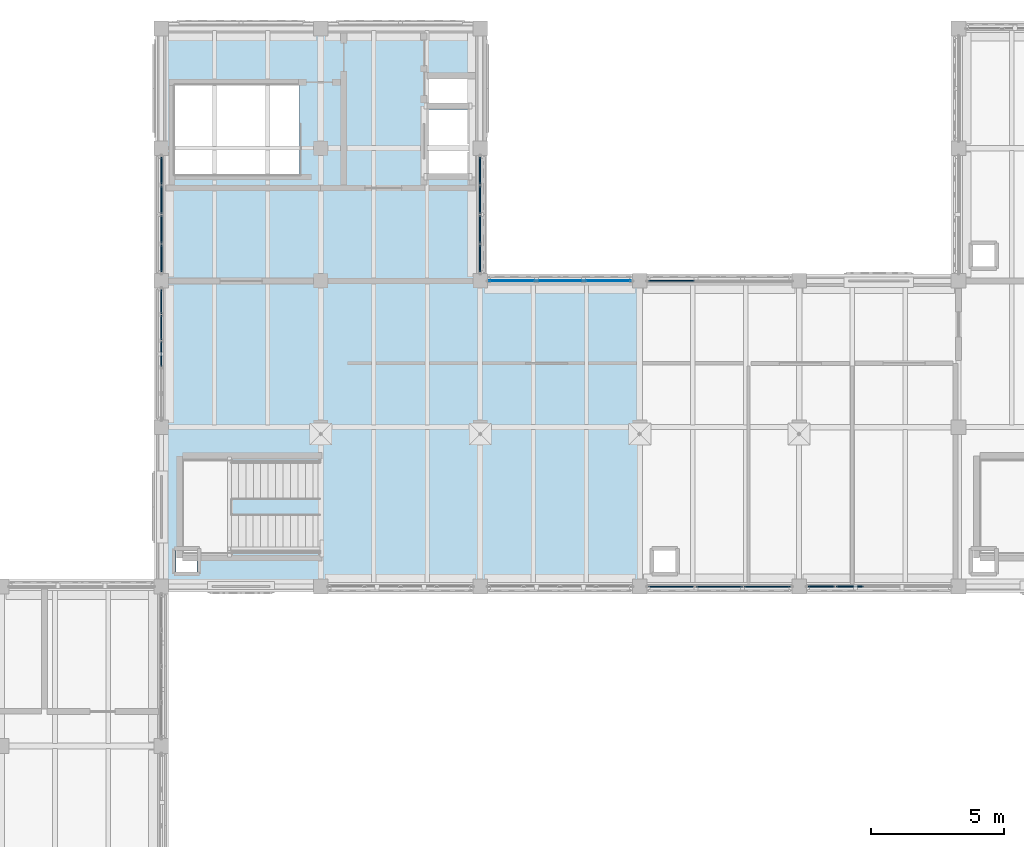
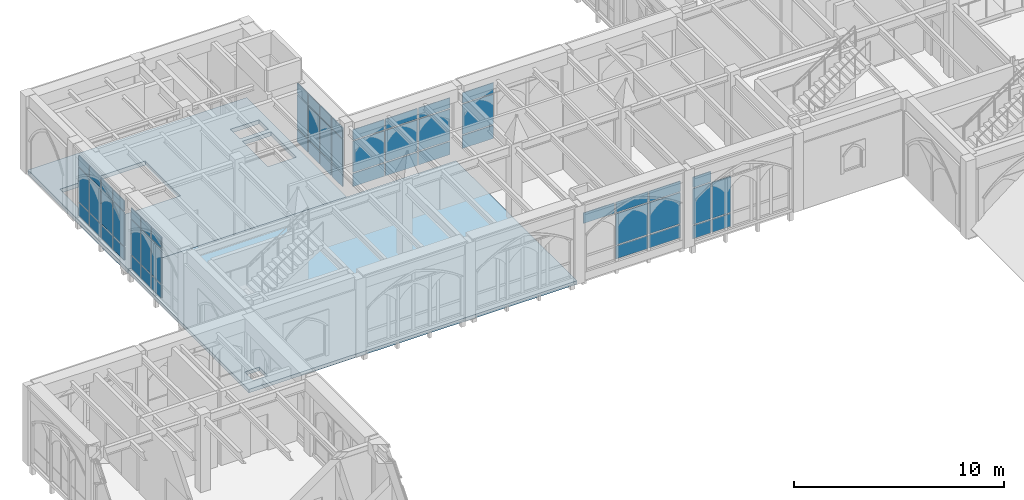
# One storey, part 64 of 108: 57 plates, 2 slabs, 7 elements without a shape of their own.
"""IFC4 building model written with IfcOpenShell, lengths in metres."""

from ifc_helpers import new_model, si_unit, direction, frame, origin, origin_2d, place, context, subcontext, project, spatial, polyline, rectangle, outline, extrude, material, layer, layer_set, type_object, element, aggregate, save


model = new_model("IFC4")

# Units and contexts
model_context = context("Model", 3, precision=1e-05, world=origin(), true_north=direction((0.0, 1.0)))
body_context = subcontext(model_context, "Body", "Model", "MODEL_VIEW")
ifc_project = project(units=[si_unit("LENGTHUNIT", "METRE"), si_unit("AREAUNIT", "SQUARE_METRE"), si_unit("VOLUMEUNIT", "CUBIC_METRE"), si_unit("PLANEANGLEUNIT", "RADIAN"), si_unit("MASSUNIT", "GRAM", prefix="KILO")], contexts=[model_context])

# Site, building, storey
site_placement = place(None, origin())
site = spatial("IfcSite", under=ifc_project, at=site_placement, CompositionType="ELEMENT")
building_placement = place(site_placement, origin())
building = spatial("IfcBuilding", under=site, at=building_placement, Name="Cumevento Cable Car Station", CompositionType="ELEMENT")
storey_placement = place(building_placement, frame((0.0, 0.0, 13.5)))
storey = spatial("IfcBuildingStorey", under=building, at=storey_placement, Name="L04", CompositionType="ELEMENT", Elevation=13.5)

# Slabs
ifc_material_1 = material(Name="Concrete C40/50", Category="concrete")
ifc_layer_1 = layer(ifc_material_1, 0.199951171875)
ifc_layer_set_1 = layer_set([ifc_layer_1], Name="Concrete C40/50")
slab_type_1 = type_object("IfcSlabType", Name="Concrete Deck FS-200 200", PredefinedType="FLOOR", material=ifc_layer_set_1)
slab_1_placement = place(storey_placement, frame((0.0, 0.0, -0.199951171875)))
element("IfcSlab", 1, at=slab_1_placement, inside=storey, type_object=slab_type_1, Name="Floor Slab FS-200 L04 B_V6c.1", PredefinedType="FLOOR", context=body_context, shape_type="SweptSolid", body=[
    extrude(outline(polyline([(22.0, 45.0), (40.0, 45.0), (40.0, 56.5), (22.0, 56.5), (22.0, 45.0)]), holes=[polyline([(22.550048828125, 45.550048828125), (23.35009765625, 45.550048828125), (23.35009765625, 46.35009765625), (22.550048828125, 46.35009765625), (22.550048828125, 45.550048828125)])]), origin(), (0.0, 0.0, 1.0), 0.199951171875),
])
ifc_material_2 = material(Name="Concrete C40/50", Category="concrete")
ifc_layer_2 = layer(ifc_material_2, 0.236083984375)
ifc_layer_set_2 = layer_set([ifc_layer_2], Name="Concrete C40/50")
slab_type_2 = type_object("IfcSlabType", Name="Concrete Deck FS-236 236", PredefinedType="FLOOR", material=ifc_layer_set_2)
slab_2_placement = place(storey_placement, frame((0.0, 0.0, -0.236083984375)))
element("IfcSlab", 2, at=slab_2_placement, inside=storey, type_object=slab_type_2, Name="Floor Slab FS-236 L04 B_V6d.1", PredefinedType="FLOOR", context=body_context, shape_type="SweptSolid", body=[
    extrude(outline(polyline([(22.0, 56.5), (34.0, 56.5), (34.0, 66.0), (22.0, 66.0), (22.0, 56.5)]), holes=[polyline([(32.010009765625, 60.5400390625), (33.580078125, 60.5400390625), (33.580078125, 62.9599609375), (32.010009765625, 62.9599609375), (32.010009765625, 60.5400390625)]), polyline([(22.52001953125, 60.52001953125), (27.199951171875, 60.52001953125), (27.199951171875, 63.85009765625), (22.52001953125, 63.85009765625), (22.52001953125, 60.52001953125)]), polyline([(32.010009765625, 63.199951171875), (33.580078125, 63.199951171875), (33.580078125, 64.10009765625), (32.010009765625, 64.10009765625), (32.010009765625, 63.199951171875)])]), origin(), (0.0, 0.0, 1.0), 0.236083984375),
])

# Curtain wall, plates
ifc_material_3 = material(Name="Anodised Bronze Aluminium AW-6063-T6", Category="aluminium")
ifc_layer_3 = layer(ifc_material_3, 0.238037109375)
ifc_layer_set_3 = layer_set([ifc_layer_3], Name="Anodised Bronze Aluminium AW-6063-T6")
curtain_wall_type_1 = type_object("IfcCurtainWallType", Name="Lancet Curtain Wall CW-14 1570", PredefinedType="NOTDEFINED", material=ifc_layer_set_3)
curtain_wall_1_placement = place(storey_placement, origin())
curtain_wall_1 = element("IfcCurtainWall", 3, at=curtain_wall_1_placement, inside=storey, type_object=curtain_wall_type_1, Name="Lancet Curtain Wall CW-14 L04 #157", PredefinedType="NOTDEFINED")
ifc_material_4 = material(Name="Solar Control Laminated Double Glazing", Category="glass")
ifc_layer_4 = layer(ifc_material_4, 0.033935546875)
ifc_layer_set_4 = layer_set([ifc_layer_4], Name="Solar Control Laminated Double Glazing")
plate_type_1 = type_object("IfcPlateType", Name="Glazed Panel CWP-04 34", PredefinedType="CURTAIN_PANEL", material=ifc_layer_set_4)
plate_1_placement = place(storey_placement, frame((35.199462890625, 56.5, 0.47509765625), z_axis=(0.0, 0.0, 1.0), x_axis=(1.0, 0.0, 0.0)))
plate_1 = element("IfcPlate", 4, at=plate_1_placement, type_object=plate_type_1, Name="CW-14 panel 1.1", PredefinedType="CURTAIN_PANEL", context=body_context, shape_type="SweptSolid", body=[
    extrude(rectangle(XDim=1.71923828125, YDim=0.033935546875, at=origin_2d()), origin(), (0.0, 0.0, 1.0), 0.75244140625),
])
plate_2_placement = place(storey_placement, frame((35.199462890625, 56.5, 1.29248046875), z_axis=(0.0, 0.0, 1.0), x_axis=(1.0, 0.0, 0.0)))
plate_2 = element("IfcPlate", 5, at=plate_2_placement, type_object=plate_type_1, Name="CW-14 panel 1.2", PredefinedType="CURTAIN_PANEL", context=body_context, shape_type="SweptSolid", body=[
    extrude(rectangle(XDim=1.71923828125, YDim=0.033935546875, at=origin_2d()), origin(), (0.0, 0.0, 1.0), 1.818115234375),
])
plate_3_placement = place(storey_placement, frame((35.199462890625, 56.5, 3.175537109375), z_axis=(0.0, 0.0, 1.0), x_axis=(1.0, 0.0, 0.0)))
plate_3 = element("IfcPlate", 6, at=plate_3_placement, type_object=plate_type_1, Name="CW-14 panel 1.3", PredefinedType="CURTAIN_PANEL", context=body_context, shape_type="SweptSolid", body=[
    extrude(rectangle(XDim=1.71923828125, YDim=0.033935546875, at=origin_2d()), origin(), (0.0, 0.0, 1.0), 0.6025390625),
])
plate_4_placement = place(storey_placement, frame((37.0, 56.5, 0.47509765625), z_axis=(0.0, 0.0, 1.0), x_axis=(1.0, 0.0, 0.0)))
plate_4 = element("IfcPlate", 7, at=plate_4_placement, type_object=plate_type_1, Name="CW-14 panel 2.1", PredefinedType="CURTAIN_PANEL", context=body_context, shape_type="SweptSolid", body=[
    extrude(rectangle(XDim=1.751708984375, YDim=0.033935546875, at=origin_2d()), origin(), (0.0, 0.0, 1.0), 0.75244140625),
])
plate_5_placement = place(storey_placement, frame((37.0, 56.5, 1.29248046875), z_axis=(0.0, 0.0, 1.0), x_axis=(1.0, 0.0, 0.0)))
plate_5 = element("IfcPlate", 8, at=plate_5_placement, type_object=plate_type_1, Name="CW-14 panel 2.2", PredefinedType="CURTAIN_PANEL", context=body_context, shape_type="SweptSolid", body=[
    extrude(rectangle(XDim=1.751708984375, YDim=0.033935546875, at=origin_2d()), origin(), (0.0, 0.0, 1.0), 1.818115234375),
])
plate_6_placement = place(storey_placement, frame((37.0, 56.5, 3.175537109375), z_axis=(0.0, 0.0, 1.0), x_axis=(1.0, 0.0, 0.0)))
plate_6 = element("IfcPlate", 9, at=plate_6_placement, type_object=plate_type_1, Name="CW-14 panel 2.3", PredefinedType="CURTAIN_PANEL", context=body_context, shape_type="SweptSolid", body=[
    extrude(rectangle(XDim=1.751708984375, YDim=0.033935546875, at=origin_2d()), origin(), (0.0, 0.0, 1.0), 0.6025390625),
])
plate_7_placement = place(storey_placement, frame((38.800537109375, 56.5, 0.47509765625), z_axis=(0.0, 0.0, 1.0), x_axis=(1.0, 0.0, 0.0)))
plate_7 = element("IfcPlate", 10, at=plate_7_placement, type_object=plate_type_1, Name="CW-14 panel 3.1", PredefinedType="CURTAIN_PANEL", context=body_context, shape_type="SweptSolid", body=[
    extrude(rectangle(XDim=1.71923828125, YDim=0.033935546875, at=origin_2d()), origin(), (0.0, 0.0, 1.0), 0.75244140625),
])
plate_8_placement = place(storey_placement, frame((38.800537109375, 56.5, 1.29248046875), z_axis=(0.0, 0.0, 1.0), x_axis=(1.0, 0.0, 0.0)))
plate_8 = element("IfcPlate", 11, at=plate_8_placement, type_object=plate_type_1, Name="CW-14 panel 3.2", PredefinedType="CURTAIN_PANEL", context=body_context, shape_type="SweptSolid", body=[
    extrude(rectangle(XDim=1.71923828125, YDim=0.033935546875, at=origin_2d()), origin(), (0.0, 0.0, 1.0), 1.818115234375),
])
plate_9_placement = place(storey_placement, frame((38.800537109375, 56.5, 3.175537109375), z_axis=(0.0, 0.0, 1.0), x_axis=(1.0, 0.0, 0.0)))
plate_9 = element("IfcPlate", 12, at=plate_9_placement, type_object=plate_type_1, Name="CW-14 panel 3.3", PredefinedType="CURTAIN_PANEL", context=body_context, shape_type="SweptSolid", body=[
    extrude(rectangle(XDim=1.71923828125, YDim=0.033935546875, at=origin_2d()), origin(), (0.0, 0.0, 1.0), 0.6025390625),
])
aggregate(curtain_wall_1, [plate_1, plate_2, plate_3, plate_4, plate_5, plate_6, plate_7, plate_8, plate_9])

ifc_material_5 = material(Name="Anodised Bronze Aluminium AW-6063-T6", Category="aluminium")
ifc_layer_5 = layer(ifc_material_5, 0.243896484375)
ifc_layer_set_5 = layer_set([ifc_layer_5], Name="Anodised Bronze Aluminium AW-6063-T6")
curtain_wall_type_2 = type_object("IfcCurtainWallType", Name="Lancet Curtain Wall CW-15 1610", PredefinedType="NOTDEFINED", material=ifc_layer_set_5)
curtain_wall_2_placement = place(storey_placement, origin())
curtain_wall_2 = element("IfcCurtainWall", 13, at=curtain_wall_2_placement, inside=storey, type_object=curtain_wall_type_2, Name="Lancet Curtain Wall CW-15 L04 #158", PredefinedType="NOTDEFINED")
ifc_material_6 = material(Name="Solar Control Laminated Double Glazing", Category="glass")
ifc_layer_6 = layer(ifc_material_6, 0.0380859375)
ifc_layer_set_6 = layer_set([ifc_layer_6], Name="Solar Control Laminated Double Glazing")
plate_type_2 = type_object("IfcPlateType", Name="Glazed Panel CWP-05 38", PredefinedType="CURTAIN_PANEL", material=ifc_layer_set_6)
plate_10_placement = place(storey_placement, frame((44.800537109375, 45.0, 0.525146484375), z_axis=(0.0, 0.0, 1.0), x_axis=(-1.0, 0.0, 0.0)))
plate_10 = element("IfcPlate", 14, at=plate_10_placement, type_object=plate_type_2, Name="CW-15 panel 1.1", PredefinedType="CURTAIN_PANEL", context=body_context, shape_type="SweptSolid", body=[
    extrude(rectangle(XDim=1.71923828125, YDim=0.0380859375, at=origin_2d()), origin(), (0.0, 0.0, 1.0), 0.75244140625),
])
plate_11_placement = place(storey_placement, frame((44.800537109375, 45.0, 1.3427734375), z_axis=(0.0, 0.0, 1.0), x_axis=(-1.0, 0.0, 0.0)))
plate_11 = element("IfcPlate", 15, at=plate_11_placement, type_object=plate_type_2, Name="CW-15 panel 1.2", PredefinedType="CURTAIN_PANEL", context=body_context, shape_type="SweptSolid", body=[
    extrude(rectangle(XDim=1.71923828125, YDim=0.0380859375, at=origin_2d()), origin(), (0.0, 0.0, 1.0), 1.805908203125),
])
plate_12_placement = place(storey_placement, frame((44.800537109375, 45.0, 3.21337890625), z_axis=(0.0, 0.0, 1.0), x_axis=(-1.0, 0.0, 0.0)))
plate_12 = element("IfcPlate", 16, at=plate_12_placement, type_object=plate_type_2, Name="CW-15 panel 1.3", PredefinedType="CURTAIN_PANEL", context=body_context, shape_type="SweptSolid", body=[
    extrude(rectangle(XDim=1.71923828125, YDim=0.0380859375, at=origin_2d()), origin(), (0.0, 0.0, 1.0), 0.6025390625),
])
plate_13_placement = place(storey_placement, frame((43.0, 45.0, 0.525146484375), z_axis=(0.0, 0.0, 1.0), x_axis=(-1.0, 0.0, 0.0)))
plate_13 = element("IfcPlate", 17, at=plate_13_placement, type_object=plate_type_2, Name="CW-15 panel 2.1", PredefinedType="CURTAIN_PANEL", context=body_context, shape_type="SweptSolid", body=[
    extrude(rectangle(XDim=1.751708984375, YDim=0.0380859375, at=origin_2d()), origin(), (0.0, 0.0, 1.0), 0.75244140625),
])
plate_14_placement = place(storey_placement, frame((43.0, 45.0, 1.3427734375), z_axis=(0.0, 0.0, 1.0), x_axis=(-1.0, 0.0, 0.0)))
plate_14 = element("IfcPlate", 18, at=plate_14_placement, type_object=plate_type_2, Name="CW-15 panel 2.2", PredefinedType="CURTAIN_PANEL", context=body_context, shape_type="SweptSolid", body=[
    extrude(rectangle(XDim=1.751708984375, YDim=0.0380859375, at=origin_2d()), origin(), (0.0, 0.0, 1.0), 1.805908203125),
])
plate_15_placement = place(storey_placement, frame((43.0, 45.0, 3.21337890625), z_axis=(0.0, 0.0, 1.0), x_axis=(-1.0, 0.0, 0.0)))
plate_15 = element("IfcPlate", 19, at=plate_15_placement, type_object=plate_type_2, Name="CW-15 panel 2.3", PredefinedType="CURTAIN_PANEL", context=body_context, shape_type="SweptSolid", body=[
    extrude(rectangle(XDim=1.751708984375, YDim=0.0380859375, at=origin_2d()), origin(), (0.0, 0.0, 1.0), 0.6025390625),
])
plate_16_placement = place(storey_placement, frame((41.199462890625, 45.0, 3.21337890625), z_axis=(0.0, 0.0, 1.0), x_axis=(-1.0, 0.0, 0.0)))
plate_16 = element("IfcPlate", 20, at=plate_16_placement, type_object=plate_type_2, Name="CW-15 panel 3.3", PredefinedType="CURTAIN_PANEL", context=body_context, shape_type="SweptSolid", body=[
    extrude(rectangle(XDim=1.71923828125, YDim=0.0380859375, at=origin_2d()), origin(), (0.0, 0.0, 1.0), 0.6025390625),
])
aggregate(curtain_wall_2, [plate_10, plate_11, plate_12, plate_13, plate_14, plate_15, plate_16])

ifc_material_7 = material(Name="Anodised Bronze Aluminium AW-6063-T6", Category="aluminium")
ifc_layer_7 = layer(ifc_material_7, 0.25)
ifc_layer_set_7 = layer_set([ifc_layer_7], Name="Anodised Bronze Aluminium AW-6063-T6")
curtain_wall_type_3 = type_object("IfcCurtainWallType", Name="Lancet Curtain Wall CW-16 1650", PredefinedType="NOTDEFINED", material=ifc_layer_set_7)
curtain_wall_3_placement = place(storey_placement, origin())
curtain_wall_3 = element("IfcCurtainWall", 21, at=curtain_wall_3_placement, inside=storey, type_object=curtain_wall_type_3, Name="Lancet Curtain Wall CW-16 L04 #159", PredefinedType="NOTDEFINED")
ifc_material_8 = material(Name="Solar Control Laminated Double Glazing", Category="glass")
ifc_layer_8 = layer(ifc_material_8, 0.0419921875)
ifc_layer_set_8 = layer_set([ifc_layer_8], Name="Solar Control Laminated Double Glazing")
plate_type_3 = type_object("IfcPlateType", Name="Glazed Panel CWP-06 42", PredefinedType="CURTAIN_PANEL", material=ifc_layer_set_8)
plate_17_placement = place(storey_placement, frame((41.199462890625, 56.5, 0.5849609375), z_axis=(0.0, 0.0, 1.0), x_axis=(1.0, 0.0, 0.0)))
plate_17 = element("IfcPlate", 22, at=plate_17_placement, type_object=plate_type_3, Name="CW-16 panel 1.1", PredefinedType="CURTAIN_PANEL", context=body_context, shape_type="SweptSolid", body=[
    extrude(rectangle(XDim=1.71923828125, YDim=0.0419921875, at=origin_2d()), origin(), (0.0, 0.0, 1.0), 0.75244140625),
])
plate_18_placement = place(storey_placement, frame((41.199462890625, 56.5, 1.40234375), z_axis=(0.0, 0.0, 1.0), x_axis=(1.0, 0.0, 0.0)))
plate_18 = element("IfcPlate", 23, at=plate_18_placement, type_object=plate_type_3, Name="CW-16 panel 1.2", PredefinedType="CURTAIN_PANEL", context=body_context, shape_type="SweptSolid", body=[
    extrude(rectangle(XDim=1.71923828125, YDim=0.0419921875, at=origin_2d()), origin(), (0.0, 0.0, 1.0), 1.74609375),
])
plate_19_placement = place(storey_placement, frame((41.199462890625, 56.5, 3.21337890625), z_axis=(0.0, 0.0, 1.0), x_axis=(1.0, 0.0, 0.0)))
plate_19 = element("IfcPlate", 24, at=plate_19_placement, type_object=plate_type_3, Name="CW-16 panel 1.3", PredefinedType="CURTAIN_PANEL", context=body_context, shape_type="SweptSolid", body=[
    extrude(rectangle(XDim=1.71923828125, YDim=0.0419921875, at=origin_2d()), origin(), (0.0, 0.0, 1.0), 0.6025390625),
])
aggregate(curtain_wall_3, [plate_17, plate_18, plate_19])

ifc_material_9 = material(Name="Anodised Bronze Aluminium AW-6063-T6", Category="aluminium")
ifc_layer_9 = layer(ifc_material_9, 0.159912109375)
ifc_layer_set_9 = layer_set([ifc_layer_9], Name="Anodised Bronze Aluminium AW-6063-T6")
curtain_wall_type_4 = type_object("IfcCurtainWallType", Name="Lancet Curtain Wall CW-01 1050", PredefinedType="NOTDEFINED", material=ifc_layer_set_9)
curtain_wall_4_placement = place(storey_placement, origin())
curtain_wall_4 = element("IfcCurtainWall", 25, at=curtain_wall_4_placement, inside=storey, type_object=curtain_wall_type_4, Name="Lancet Curtain Wall CW-01 L04 #160", PredefinedType="NOTDEFINED")
ifc_material_10 = material(Name="Solar Control Laminated Double Glazing", Category="glass")
ifc_layer_10 = layer(ifc_material_10, 0.0458984375)
ifc_layer_set_10 = layer_set([ifc_layer_10], Name="Solar Control Laminated Double Glazing")
plate_type_4 = type_object("IfcPlateType", Name="Glazed Panel CWP-07 46", PredefinedType="CURTAIN_PANEL", material=ifc_layer_set_10)
plate_20_placement = place(storey_placement, frame((47.909912109375, 45.0, 0.22509765625), z_axis=(0.0, 0.0, 1.0), x_axis=(-1.0, 0.0, 0.0)))
plate_20 = element("IfcPlate", 26, at=plate_20_placement, type_object=plate_type_4, Name="CW-01 panel 4.1", PredefinedType="CURTAIN_PANEL", context=body_context, shape_type="SweptSolid", body=[
    extrude(rectangle(XDim=1.02490234375, YDim=0.0458984375, at=origin_2d()), origin(), (0.0, 0.0, 1.0), 0.75244140625),
])
plate_21_placement = place(storey_placement, frame((47.909912109375, 45.0, 1.04248046875), z_axis=(0.0, 0.0, 1.0), x_axis=(-1.0, 0.0, 0.0)))
plate_21 = element("IfcPlate", 27, at=plate_21_placement, type_object=plate_type_4, Name="CW-01 panel 4.2", PredefinedType="CURTAIN_PANEL", context=body_context, shape_type="SweptSolid", body=[
    extrude(rectangle(XDim=1.02490234375, YDim=0.0458984375, at=origin_2d()), origin(), (0.0, 0.0, 1.0), 2.08203125),
])
plate_22_placement = place(storey_placement, frame((46.836181640625, 45.0, 0.22509765625), z_axis=(0.0, 0.0, 1.0), x_axis=(-1.0, 0.0, 0.0)))
plate_22 = element("IfcPlate", 28, at=plate_22_placement, type_object=plate_type_4, Name="CW-01 panel 5.1", PredefinedType="CURTAIN_PANEL", context=body_context, shape_type="SweptSolid", body=[
    extrude(rectangle(XDim=0.992431640625, YDim=0.0458984375, at=origin_2d()), origin(), (0.0, 0.0, 1.0), 0.75244140625),
])
plate_23_placement = place(storey_placement, frame((46.836181640625, 45.0, 1.04248046875), z_axis=(0.0, 0.0, 1.0), x_axis=(-1.0, 0.0, 0.0)))
plate_23 = element("IfcPlate", 29, at=plate_23_placement, type_object=plate_type_4, Name="CW-01 panel 5.2", PredefinedType="CURTAIN_PANEL", context=body_context, shape_type="SweptSolid", body=[
    extrude(rectangle(XDim=0.992431640625, YDim=0.0458984375, at=origin_2d()), origin(), (0.0, 0.0, 1.0), 2.08203125),
])
plate_24_placement = place(storey_placement, frame((46.836181640625, 45.0, 3.189453125), z_axis=(0.0, 0.0, 1.0), x_axis=(-1.0, 0.0, 0.0)))
plate_24 = element("IfcPlate", 30, at=plate_24_placement, type_object=plate_type_4, Name="CW-01 panel 5.3", PredefinedType="CURTAIN_PANEL", context=body_context, shape_type="SweptSolid", body=[
    extrude(rectangle(XDim=0.992431640625, YDim=0.0458984375, at=origin_2d()), origin(), (0.0, 0.0, 1.0), 0.6025390625),
])
aggregate(curtain_wall_4, [plate_20, plate_21, plate_22, plate_23, plate_24])

ifc_material_11 = material(Name="Anodised Bronze Aluminium AW-6063-T6", Category="aluminium")
ifc_layer_11 = layer(ifc_material_11, 0.166015625)
ifc_layer_set_11 = layer_set([ifc_layer_11], Name="Anodised Bronze Aluminium AW-6063-T6")
curtain_wall_type_5 = type_object("IfcCurtainWallType", Name="Lancet Curtain Wall CW-02 1090", PredefinedType="NOTDEFINED", material=ifc_layer_set_11)
curtain_wall_5_placement = place(storey_placement, origin())
curtain_wall_5 = element("IfcCurtainWall", 31, at=curtain_wall_5_placement, inside=storey, type_object=curtain_wall_type_5, Name="Lancet Curtain Wall CW-02 L04 #161", PredefinedType="NOTDEFINED")
ifc_material_12 = material(Name="Solar Control Laminated Double Glazing", Category="glass")
ifc_layer_12 = layer(ifc_material_12, 0.050048828125)
ifc_layer_set_12 = layer_set([ifc_layer_12], Name="Solar Control Laminated Double Glazing")
plate_type_5 = type_object("IfcPlateType", Name="Glazed Panel CWP-08 50", PredefinedType="CURTAIN_PANEL", material=ifc_layer_set_12)
plate_25_placement = place(storey_placement, frame((22.0, 53.75, 0.275146484375), z_axis=(0.0, 0.0, 1.0), x_axis=(0.0, 1.0, 0.0)))
plate_25 = element("IfcPlate", 32, at=plate_25_placement, type_object=plate_type_5, Name="CW-02 panel 3.1", PredefinedType="CURTAIN_PANEL", context=body_context, shape_type="SweptSolid", body=[
    extrude(rectangle(XDim=0.925048828125, YDim=0.050048828125, at=origin_2d()), origin(), (0.0, 0.0, 1.0), 0.75244140625),
])
plate_26_placement = place(storey_placement, frame((22.0, 53.75, 1.092529296875), z_axis=(0.0, 0.0, 1.0), x_axis=(0.0, 1.0, 0.0)))
plate_26 = element("IfcPlate", 33, at=plate_26_placement, type_object=plate_type_5, Name="CW-02 panel 3.2", PredefinedType="CURTAIN_PANEL", context=body_context, shape_type="SweptSolid", body=[
    extrude(rectangle(XDim=0.925048828125, YDim=0.050048828125, at=origin_2d()), origin(), (0.0, 0.0, 1.0), 2.01806640625),
])
plate_27_placement = place(storey_placement, frame((22.0, 53.75, 3.175537109375), z_axis=(0.0, 0.0, 1.0), x_axis=(0.0, 1.0, 0.0)))
plate_27 = element("IfcPlate", 34, at=plate_27_placement, type_object=plate_type_5, Name="CW-02 panel 3.3", PredefinedType="CURTAIN_PANEL", context=body_context, shape_type="SweptSolid", body=[
    extrude(rectangle(XDim=0.925048828125, YDim=0.050048828125, at=origin_2d()), origin(), (0.0, 0.0, 1.0), 0.6025390625),
])
plate_28_placement = place(storey_placement, frame((22.0, 54.739990234375, 0.275146484375), z_axis=(0.0, 0.0, 1.0), x_axis=(0.0, 1.0, 0.0)))
plate_28 = element("IfcPlate", 35, at=plate_28_placement, type_object=plate_type_5, Name="CW-02 panel 4.1", PredefinedType="CURTAIN_PANEL", context=body_context, shape_type="SweptSolid", body=[
    extrude(rectangle(XDim=0.925048828125, YDim=0.050048828125, at=origin_2d()), origin(), (0.0, 0.0, 1.0), 0.75244140625),
])
plate_29_placement = place(storey_placement, frame((22.0, 54.739990234375, 1.092529296875), z_axis=(0.0, 0.0, 1.0), x_axis=(0.0, 1.0, 0.0)))
plate_29 = element("IfcPlate", 36, at=plate_29_placement, type_object=plate_type_5, Name="CW-02 panel 4.2", PredefinedType="CURTAIN_PANEL", context=body_context, shape_type="SweptSolid", body=[
    extrude(rectangle(XDim=0.925048828125, YDim=0.050048828125, at=origin_2d()), origin(), (0.0, 0.0, 1.0), 2.01806640625),
])
plate_30_placement = place(storey_placement, frame((22.0, 54.739990234375, 3.175537109375), z_axis=(0.0, 0.0, 1.0), x_axis=(0.0, 1.0, 0.0)))
plate_30 = element("IfcPlate", 37, at=plate_30_placement, type_object=plate_type_5, Name="CW-02 panel 4.3", PredefinedType="CURTAIN_PANEL", context=body_context, shape_type="SweptSolid", body=[
    extrude(rectangle(XDim=0.925048828125, YDim=0.050048828125, at=origin_2d()), origin(), (0.0, 0.0, 1.0), 0.6025390625),
])
plate_31_placement = place(storey_placement, frame((22.0, 55.7138671875, 0.275146484375), z_axis=(0.0, 0.0, 1.0), x_axis=(0.0, 1.0, 0.0)))
plate_31 = element("IfcPlate", 38, at=plate_31_placement, type_object=plate_type_5, Name="CW-02 panel 5.1", PredefinedType="CURTAIN_PANEL", context=body_context, shape_type="SweptSolid", body=[
    extrude(rectangle(XDim=0.892578125, YDim=0.050048828125, at=origin_2d()), origin(), (0.0, 0.0, 1.0), 0.75244140625),
])
plate_32_placement = place(storey_placement, frame((22.0, 55.7138671875, 1.092529296875), z_axis=(0.0, 0.0, 1.0), x_axis=(0.0, 1.0, 0.0)))
plate_32 = element("IfcPlate", 39, at=plate_32_placement, type_object=plate_type_5, Name="CW-02 panel 5.2", PredefinedType="CURTAIN_PANEL", context=body_context, shape_type="SweptSolid", body=[
    extrude(rectangle(XDim=0.892578125, YDim=0.050048828125, at=origin_2d()), origin(), (0.0, 0.0, 1.0), 2.01806640625),
])
plate_33_placement = place(storey_placement, frame((22.0, 55.7138671875, 3.175537109375), z_axis=(0.0, 0.0, 1.0), x_axis=(0.0, 1.0, 0.0)))
plate_33 = element("IfcPlate", 40, at=plate_33_placement, type_object=plate_type_5, Name="CW-02 panel 5.3", PredefinedType="CURTAIN_PANEL", context=body_context, shape_type="SweptSolid", body=[
    extrude(rectangle(XDim=0.892578125, YDim=0.050048828125, at=origin_2d()), origin(), (0.0, 0.0, 1.0), 0.6025390625),
])
aggregate(curtain_wall_5, [plate_25, plate_26, plate_27, plate_28, plate_29, plate_30, plate_31, plate_32, plate_33])

ifc_material_13 = material(Name="Anodised Bronze Aluminium AW-6063-T6", Category="aluminium")
ifc_layer_13 = layer(ifc_material_13, 0.172119140625)
ifc_layer_set_13 = layer_set([ifc_layer_13], Name="Anodised Bronze Aluminium AW-6063-T6")
curtain_wall_type_6 = type_object("IfcCurtainWallType", Name="Lancet Curtain Wall CW-03 1130", PredefinedType="NOTDEFINED", material=ifc_layer_set_13)
curtain_wall_6_placement = place(storey_placement, origin())
curtain_wall_6 = element("IfcCurtainWall", 41, at=curtain_wall_6_placement, inside=storey, type_object=curtain_wall_type_6, Name="Lancet Curtain Wall CW-03 L04 #162", PredefinedType="NOTDEFINED")
ifc_material_14 = material(Name="Insulated Bronze Aluminium Spandrel Panel", Category="aluminium")
ifc_layer_14 = layer(ifc_material_14, 0.054931640625)
ifc_layer_set_14 = layer_set([ifc_layer_14], Name="Insulated Bronze Aluminium Spandrel Panel")
plate_type_6 = type_object("IfcPlateType", Name="Spandrel Panel CWP-09 55", PredefinedType="CURTAIN_PANEL", material=ifc_layer_set_14)
plate_34_placement = place(storey_placement, frame((22.0, 57.347412109375, 0.324951171875), z_axis=(0.0, 0.0, 1.0), x_axis=(0.0, 1.0, 0.0)))
plate_34 = element("IfcPlate", 42, at=plate_34_placement, type_object=plate_type_6, Name="CW-03 panel 1.1", PredefinedType="CURTAIN_PANEL", context=body_context, shape_type="SweptSolid", body=[
    extrude(rectangle(XDim=1.014892578125, YDim=0.054931640625, at=origin_2d()), origin(), (0.0, 0.0, 1.0), 0.75244140625),
])
plate_35_placement = place(storey_placement, frame((22.0, 57.347412109375, 1.142578125), z_axis=(0.0, 0.0, 1.0), x_axis=(0.0, 1.0, 0.0)))
plate_35 = element("IfcPlate", 43, at=plate_35_placement, type_object=plate_type_6, Name="CW-03 panel 1.2", PredefinedType="CURTAIN_PANEL", context=body_context, shape_type="SweptSolid", body=[
    extrude(rectangle(XDim=1.014892578125, YDim=0.054931640625, at=origin_2d()), origin(), (0.0, 0.0, 1.0), 1.968017578125),
])
plate_36_placement = place(storey_placement, frame((22.0, 57.347412109375, 3.175537109375), z_axis=(0.0, 0.0, 1.0), x_axis=(0.0, 1.0, 0.0)))
plate_36 = element("IfcPlate", 44, at=plate_36_placement, type_object=plate_type_6, Name="CW-03 panel 1.3", PredefinedType="CURTAIN_PANEL", context=body_context, shape_type="SweptSolid", body=[
    extrude(rectangle(XDim=1.014892578125, YDim=0.054931640625, at=origin_2d()), origin(), (0.0, 0.0, 1.0), 0.6025390625),
])
plate_37_placement = place(storey_placement, frame((22.0, 58.44384765625, 0.324951171875), z_axis=(0.0, 0.0, 1.0), x_axis=(0.0, 1.0, 0.0)))
plate_37 = element("IfcPlate", 45, at=plate_37_placement, type_object=plate_type_6, Name="CW-03 panel 2.1", PredefinedType="CURTAIN_PANEL", context=body_context, shape_type="SweptSolid", body=[
    extrude(rectangle(XDim=1.047607421875, YDim=0.054931640625, at=origin_2d()), origin(), (0.0, 0.0, 1.0), 0.75244140625),
])
plate_38_placement = place(storey_placement, frame((22.0, 58.44384765625, 1.142578125), z_axis=(0.0, 0.0, 1.0), x_axis=(0.0, 1.0, 0.0)))
plate_38 = element("IfcPlate", 46, at=plate_38_placement, type_object=plate_type_6, Name="CW-03 panel 2.2", PredefinedType="CURTAIN_PANEL", context=body_context, shape_type="SweptSolid", body=[
    extrude(rectangle(XDim=1.047607421875, YDim=0.054931640625, at=origin_2d()), origin(), (0.0, 0.0, 1.0), 1.968017578125),
])
plate_39_placement = place(storey_placement, frame((22.0, 58.44384765625, 3.175537109375), z_axis=(0.0, 0.0, 1.0), x_axis=(0.0, 1.0, 0.0)))
plate_39 = element("IfcPlate", 47, at=plate_39_placement, type_object=plate_type_6, Name="CW-03 panel 2.3", PredefinedType="CURTAIN_PANEL", context=body_context, shape_type="SweptSolid", body=[
    extrude(rectangle(XDim=1.047607421875, YDim=0.054931640625, at=origin_2d()), origin(), (0.0, 0.0, 1.0), 0.6025390625),
])
plate_40_placement = place(storey_placement, frame((22.0, 59.55615234375, 0.324951171875), z_axis=(0.0, 0.0, 1.0), x_axis=(0.0, 1.0, 0.0)))
plate_40 = element("IfcPlate", 48, at=plate_40_placement, type_object=plate_type_6, Name="CW-03 panel 3.1", PredefinedType="CURTAIN_PANEL", context=body_context, shape_type="SweptSolid", body=[
    extrude(rectangle(XDim=1.047607421875, YDim=0.054931640625, at=origin_2d()), origin(), (0.0, 0.0, 1.0), 0.75244140625),
])
plate_41_placement = place(storey_placement, frame((22.0, 59.55615234375, 1.142578125), z_axis=(0.0, 0.0, 1.0), x_axis=(0.0, 1.0, 0.0)))
plate_41 = element("IfcPlate", 49, at=plate_41_placement, type_object=plate_type_6, Name="CW-03 panel 3.2", PredefinedType="CURTAIN_PANEL", context=body_context, shape_type="SweptSolid", body=[
    extrude(rectangle(XDim=1.047607421875, YDim=0.054931640625, at=origin_2d()), origin(), (0.0, 0.0, 1.0), 1.968017578125),
])
plate_42_placement = place(storey_placement, frame((22.0, 59.55615234375, 3.175537109375), z_axis=(0.0, 0.0, 1.0), x_axis=(0.0, 1.0, 0.0)))
plate_42 = element("IfcPlate", 50, at=plate_42_placement, type_object=plate_type_6, Name="CW-03 panel 3.3", PredefinedType="CURTAIN_PANEL", context=body_context, shape_type="SweptSolid", body=[
    extrude(rectangle(XDim=1.047607421875, YDim=0.054931640625, at=origin_2d()), origin(), (0.0, 0.0, 1.0), 0.6025390625),
])
plate_43_placement = place(storey_placement, frame((22.0, 60.652587890625, 0.324951171875), z_axis=(0.0, 0.0, 1.0), x_axis=(0.0, 1.0, 0.0)))
plate_43 = element("IfcPlate", 51, at=plate_43_placement, type_object=plate_type_6, Name="CW-03 panel 4.1", PredefinedType="CURTAIN_PANEL", context=body_context, shape_type="SweptSolid", body=[
    extrude(rectangle(XDim=1.014892578125, YDim=0.054931640625, at=origin_2d()), origin(), (0.0, 0.0, 1.0), 0.75244140625),
])
plate_44_placement = place(storey_placement, frame((22.0, 60.652587890625, 1.142578125), z_axis=(0.0, 0.0, 1.0), x_axis=(0.0, 1.0, 0.0)))
plate_44 = element("IfcPlate", 52, at=plate_44_placement, type_object=plate_type_6, Name="CW-03 panel 4.2", PredefinedType="CURTAIN_PANEL", context=body_context, shape_type="SweptSolid", body=[
    extrude(rectangle(XDim=1.014892578125, YDim=0.054931640625, at=origin_2d()), origin(), (0.0, 0.0, 1.0), 1.968017578125),
])
plate_45_placement = place(storey_placement, frame((22.0, 60.652587890625, 3.175537109375), z_axis=(0.0, 0.0, 1.0), x_axis=(0.0, 1.0, 0.0)))
plate_45 = element("IfcPlate", 53, at=plate_45_placement, type_object=plate_type_6, Name="CW-03 panel 4.3", PredefinedType="CURTAIN_PANEL", context=body_context, shape_type="SweptSolid", body=[
    extrude(rectangle(XDim=1.014892578125, YDim=0.054931640625, at=origin_2d()), origin(), (0.0, 0.0, 1.0), 0.6025390625),
])
aggregate(curtain_wall_6, [plate_34, plate_35, plate_36, plate_37, plate_38, plate_39, plate_40, plate_41, plate_42, plate_43, plate_44, plate_45])

ifc_material_15 = material(Name="Anodised Bronze Aluminium AW-6063-T6", Category="aluminium")
ifc_layer_15 = layer(ifc_material_15, 0.177978515625)
ifc_layer_set_15 = layer_set([ifc_layer_15], Name="Anodised Bronze Aluminium AW-6063-T6")
curtain_wall_type_7 = type_object("IfcCurtainWallType", Name="Lancet Curtain Wall CW-04 1170", PredefinedType="NOTDEFINED", material=ifc_layer_set_15)
curtain_wall_7_placement = place(storey_placement, origin())
curtain_wall_7 = element("IfcCurtainWall", 54, at=curtain_wall_7_placement, inside=storey, type_object=curtain_wall_type_7, Name="Lancet Curtain Wall CW-04 L04 #163", PredefinedType="NOTDEFINED")
ifc_material_16 = material(Name="Insulated Bronze Aluminium Spandrel Panel", Category="aluminium")
ifc_layer_16 = layer(ifc_material_16, 0.06005859375)
ifc_layer_set_16 = layer_set([ifc_layer_16], Name="Insulated Bronze Aluminium Spandrel Panel")
plate_type_7 = type_object("IfcPlateType", Name="Spandrel Panel CWP-10 60", PredefinedType="CURTAIN_PANEL", material=ifc_layer_set_16)
plate_46_placement = place(storey_placement, frame((34.0, 60.652587890625, 0.375), z_axis=(0.0, 0.0, 1.0), x_axis=(0.0, -1.0, 0.0)))
plate_46 = element("IfcPlate", 55, at=plate_46_placement, type_object=plate_type_7, Name="CW-04 panel 1.1", PredefinedType="CURTAIN_PANEL", context=body_context, shape_type="SweptSolid", body=[
    extrude(rectangle(XDim=1.014892578125, YDim=0.06005859375, at=origin_2d()), origin(), (0.0, 0.0, 1.0), 0.75244140625),
])
plate_47_placement = place(storey_placement, frame((34.0, 60.652587890625, 1.192626953125), z_axis=(0.0, 0.0, 1.0), x_axis=(0.0, -1.0, 0.0)))
plate_47 = element("IfcPlate", 56, at=plate_47_placement, type_object=plate_type_7, Name="CW-04 panel 1.2", PredefinedType="CURTAIN_PANEL", context=body_context, shape_type="SweptSolid", body=[
    extrude(rectangle(XDim=1.014892578125, YDim=0.06005859375, at=origin_2d()), origin(), (0.0, 0.0, 1.0), 1.91796875),
])
plate_48_placement = place(storey_placement, frame((34.0, 60.652587890625, 3.175537109375), z_axis=(0.0, 0.0, 1.0), x_axis=(0.0, -1.0, 0.0)))
plate_48 = element("IfcPlate", 57, at=plate_48_placement, type_object=plate_type_7, Name="CW-04 panel 1.3", PredefinedType="CURTAIN_PANEL", context=body_context, shape_type="SweptSolid", body=[
    extrude(rectangle(XDim=1.014892578125, YDim=0.06005859375, at=origin_2d()), origin(), (0.0, 0.0, 1.0), 0.6025390625),
])
plate_49_placement = place(storey_placement, frame((34.0, 59.55615234375, 0.375), z_axis=(0.0, 0.0, 1.0), x_axis=(0.0, -1.0, 0.0)))
plate_49 = element("IfcPlate", 58, at=plate_49_placement, type_object=plate_type_7, Name="CW-04 panel 2.1", PredefinedType="CURTAIN_PANEL", context=body_context, shape_type="SweptSolid", body=[
    extrude(rectangle(XDim=1.047607421875, YDim=0.06005859375, at=origin_2d()), origin(), (0.0, 0.0, 1.0), 0.75244140625),
])
plate_50_placement = place(storey_placement, frame((34.0, 59.55615234375, 1.192626953125), z_axis=(0.0, 0.0, 1.0), x_axis=(0.0, -1.0, 0.0)))
plate_50 = element("IfcPlate", 59, at=plate_50_placement, type_object=plate_type_7, Name="CW-04 panel 2.2", PredefinedType="CURTAIN_PANEL", context=body_context, shape_type="SweptSolid", body=[
    extrude(rectangle(XDim=1.047607421875, YDim=0.06005859375, at=origin_2d()), origin(), (0.0, 0.0, 1.0), 1.91796875),
])
plate_51_placement = place(storey_placement, frame((34.0, 59.55615234375, 3.175537109375), z_axis=(0.0, 0.0, 1.0), x_axis=(0.0, -1.0, 0.0)))
plate_51 = element("IfcPlate", 60, at=plate_51_placement, type_object=plate_type_7, Name="CW-04 panel 2.3", PredefinedType="CURTAIN_PANEL", context=body_context, shape_type="SweptSolid", body=[
    extrude(rectangle(XDim=1.047607421875, YDim=0.06005859375, at=origin_2d()), origin(), (0.0, 0.0, 1.0), 0.6025390625),
])
plate_52_placement = place(storey_placement, frame((34.0, 58.44384765625, 0.375), z_axis=(0.0, 0.0, 1.0), x_axis=(0.0, -1.0, 0.0)))
plate_52 = element("IfcPlate", 61, at=plate_52_placement, type_object=plate_type_7, Name="CW-04 panel 3.1", PredefinedType="CURTAIN_PANEL", context=body_context, shape_type="SweptSolid", body=[
    extrude(rectangle(XDim=1.047607421875, YDim=0.06005859375, at=origin_2d()), origin(), (0.0, 0.0, 1.0), 0.75244140625),
])
plate_53_placement = place(storey_placement, frame((34.0, 58.44384765625, 1.192626953125), z_axis=(0.0, 0.0, 1.0), x_axis=(0.0, -1.0, 0.0)))
plate_53 = element("IfcPlate", 62, at=plate_53_placement, type_object=plate_type_7, Name="CW-04 panel 3.2", PredefinedType="CURTAIN_PANEL", context=body_context, shape_type="SweptSolid", body=[
    extrude(rectangle(XDim=1.047607421875, YDim=0.06005859375, at=origin_2d()), origin(), (0.0, 0.0, 1.0), 1.91796875),
])
plate_54_placement = place(storey_placement, frame((34.0, 58.44384765625, 3.175537109375), z_axis=(0.0, 0.0, 1.0), x_axis=(0.0, -1.0, 0.0)))
plate_54 = element("IfcPlate", 63, at=plate_54_placement, type_object=plate_type_7, Name="CW-04 panel 3.3", PredefinedType="CURTAIN_PANEL", context=body_context, shape_type="SweptSolid", body=[
    extrude(rectangle(XDim=1.047607421875, YDim=0.06005859375, at=origin_2d()), origin(), (0.0, 0.0, 1.0), 0.6025390625),
])
plate_55_placement = place(storey_placement, frame((34.0, 57.347412109375, 0.375), z_axis=(0.0, 0.0, 1.0), x_axis=(0.0, -1.0, 0.0)))
plate_55 = element("IfcPlate", 64, at=plate_55_placement, type_object=plate_type_7, Name="CW-04 panel 4.1", PredefinedType="CURTAIN_PANEL", context=body_context, shape_type="SweptSolid", body=[
    extrude(rectangle(XDim=1.014892578125, YDim=0.06005859375, at=origin_2d()), origin(), (0.0, 0.0, 1.0), 0.75244140625),
])
plate_56_placement = place(storey_placement, frame((34.0, 57.347412109375, 1.192626953125), z_axis=(0.0, 0.0, 1.0), x_axis=(0.0, -1.0, 0.0)))
plate_56 = element("IfcPlate", 65, at=plate_56_placement, type_object=plate_type_7, Name="CW-04 panel 4.2", PredefinedType="CURTAIN_PANEL", context=body_context, shape_type="SweptSolid", body=[
    extrude(rectangle(XDim=1.014892578125, YDim=0.06005859375, at=origin_2d()), origin(), (0.0, 0.0, 1.0), 1.91796875),
])
plate_57_placement = place(storey_placement, frame((34.0, 57.347412109375, 3.175537109375), z_axis=(0.0, 0.0, 1.0), x_axis=(0.0, -1.0, 0.0)))
plate_57 = element("IfcPlate", 66, at=plate_57_placement, type_object=plate_type_7, Name="CW-04 panel 4.3", PredefinedType="CURTAIN_PANEL", context=body_context, shape_type="SweptSolid", body=[
    extrude(rectangle(XDim=1.014892578125, YDim=0.06005859375, at=origin_2d()), origin(), (0.0, 0.0, 1.0), 0.6025390625),
])
aggregate(curtain_wall_7, [plate_46, plate_47, plate_48, plate_49, plate_50, plate_51, plate_52, plate_53, plate_54, plate_55, plate_56, plate_57])

save(model, "model.ifc")
